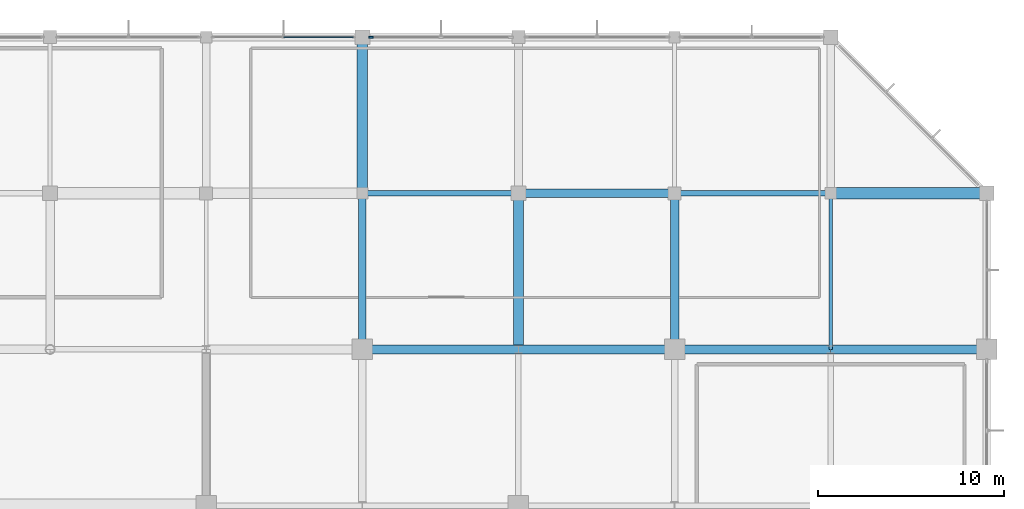
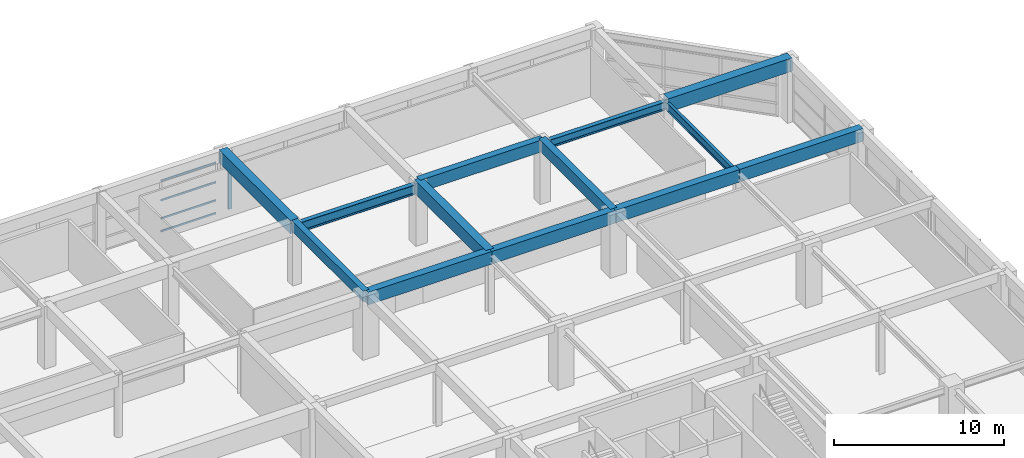
# One storey, part 33 of 56: 13 beams, 5 members, 2 elements without a shape of their own.
"""IFC4 building model written with IfcOpenShell, lengths in metres."""

import ifcopenshell
import ifcopenshell.guid

model = None  # the IFC model being written
_history = None  # IfcOwnerHistory: only IFC2X3 demands one
_inside = {}  # id of a spatial element -> (the spatial element, [elements in it])
_under = {}  # id of a project, library or spatial element -> (it, [spatial elements below it])
_declared = {}  # id of a project -> (the project, [libraries it declares])
_typed = {}  # id of a type object -> (the type object, [elements of that type])
_made_of = {}  # id of a material, layer set ... -> (it, [elements and type objects made of it])


def new_model(schema):
    """Start an empty IFC model of exactly this schema.

    Asked for "IFC4X3", IfcOpenShell would pick the latest addendum, in which some entities
    have other attributes; the version numbers below select the first issue.
    IFC2X3 requires an IfcOwnerHistory on every rooted entity: one is made here for all.
    """
    global model, _history
    if schema == "IFC4X3":
        model = ifcopenshell.file(schema_version=(4, 3, 0, 0))
    else:
        model = ifcopenshell.file(schema=schema)
    _inside.clear()
    _under.clear()
    _declared.clear()
    _typed.clear()
    _made_of.clear()
    _history = None
    if model.schema == "IFC2X3":
        org = make("IfcOrganization", Name="unknown")
        user = make(
            "IfcPersonAndOrganization",
            ThePerson=make("IfcPerson", FamilyName="unknown"),
            TheOrganization=org,
        )
        app = make(
            "IfcApplication",
            ApplicationDeveloper=org,
            Version="unknown",
            ApplicationFullName="unknown",
            ApplicationIdentifier="unknown",
        )
        _history = make(
            "IfcOwnerHistory",
            OwningUser=user,
            OwningApplication=app,
            ChangeAction="ADDED",
            CreationDate=0,
        )
    return model


def make(cls, **values):
    """One entity of the class cls with the attributes given. An attribute that is None is left unset."""
    return model.create_entity(
        cls, **{name: value for name, value in values.items() if value is not None}
    )


def rooted(cls, **values):
    """An entity with a GlobalId (a new one), such as an element, a storey or a relation."""
    return make(cls, GlobalId=ifcopenshell.guid.new(), OwnerHistory=_history, **values)


def si_unit(unit_type, name, prefix=None):
    """IfcSIUnit, for example si_unit("LENGTHUNIT", "METRE", prefix="MILLI")."""
    return make("IfcSIUnit", UnitType=unit_type, Prefix=prefix, Name=name)


def assignment(units):
    """IfcUnitAssignment: the units of a project."""
    return None if units is None else make("IfcUnitAssignment", Units=units)


def point(xyz):
    """IfcCartesianPoint."""
    return None if xyz is None else make("IfcCartesianPoint", Coordinates=xyz)


def direction(xyz):
    """IfcDirection."""
    return None if xyz is None else make("IfcDirection", DirectionRatios=xyz)


def frame(location, z_axis=None, x_axis=None):
    """IfcAxis2Placement3D, a coordinate frame: its origin and axes. An axis left out is left unset."""
    return make(
        "IfcAxis2Placement3D",
        Location=point(location),
        Axis=direction(z_axis),
        RefDirection=direction(x_axis),
    )


def frame_2d(location, x_axis=None):
    """IfcAxis2Placement2D, a coordinate frame in the plane: its origin and x axis."""
    return make(
        "IfcAxis2Placement2D", Location=point(location), RefDirection=direction(x_axis)
    )


def origin():
    """The frame at (0, 0, 0) with its axes left unset."""
    return frame((0.0, 0.0, 0.0))


def origin_2d():
    """The frame at (0, 0) in the plane with its x axis left unset."""
    return frame_2d((0.0, 0.0))


def place(relative_to, where):
    """IfcLocalPlacement: puts the frame where relative to a parent placement (None: the world)."""
    return make(
        "IfcLocalPlacement", PlacementRelTo=relative_to, RelativePlacement=where
    )


def context(
    kind, dimensions, precision=None, world=None, true_north=None, identifier=None
):
    """IfcGeometricRepresentationContext, for example the 3D "Model" context."""
    return make(
        "IfcGeometricRepresentationContext",
        ContextIdentifier=identifier,
        ContextType=kind,
        CoordinateSpaceDimension=dimensions,
        Precision=precision,
        WorldCoordinateSystem=world,
        TrueNorth=true_north,
    )


def subcontext(parent, identifier, kind, view, scale=None):
    """IfcGeometricRepresentationSubContext, for example "Body" below "Model"."""
    return make(
        "IfcGeometricRepresentationSubContext",
        ContextIdentifier=identifier,
        ContextType=kind,
        ParentContext=parent,
        TargetScale=scale,
        TargetView=view,
    )


def project(units=None, contexts=None):
    """IfcProject with its units and contexts."""
    return rooted(
        "IfcProject",
        Name="project",
        RepresentationContexts=contexts,
        UnitsInContext=assignment(units),
    )


def spatial(cls, under=None, at=None, **own):
    """A site, building, storey or space (cls), placed at a placement, below another one or the project."""
    s = rooted(cls, ObjectPlacement=at, **own)
    if under is not None:
        _under.setdefault(under.id(), (under, []))[1].append(s)
    return s


def profile(cls, at=None, kind="AREA", **sizes):
    """A parametric profile (cls). Its sizes go by their IFC names, for example OverallWidth=200.0."""
    return make(cls, ProfileType=kind, Position=at, **sizes)


def rectangle(**sizes):
    """IfcRectangleProfileDef."""
    return profile("IfcRectangleProfileDef", **sizes)


def i_section(**sizes):
    """IfcIShapeProfileDef."""
    return profile("IfcIShapeProfileDef", **sizes)


def extrude(swept, where, along, depth):
    """IfcExtrudedAreaSolid: the profile swept, set in the frame where, extruded along a direction by depth."""
    return make(
        "IfcExtrudedAreaSolid",
        SweptArea=swept,
        Position=where,
        ExtrudedDirection=direction(along),
        Depth=depth,
    )


def shape(context_of_items, identifier, shape_type, items):
    """IfcShapeRepresentation: the items that make up one representation, for example the "Body"."""
    return make(
        "IfcShapeRepresentation",
        ContextOfItems=context_of_items,
        RepresentationIdentifier=identifier,
        RepresentationType=shape_type,
        Items=items,
    )


def material(Name=None, Category=None):
    """IfcMaterial."""
    return make("IfcMaterial", Name=Name, Category=Category)


def material_profile(
    of_material, cross_section, Name=None, Category=None, Priority=None
):
    """IfcMaterialProfile: a cross section and its material."""
    return make(
        "IfcMaterialProfile",
        Name=Name,
        Material=of_material,
        Profile=cross_section,
        Priority=Priority,
        Category=Category,
    )


def profile_set(profiles, Name=None, composite=None):
    """IfcMaterialProfileSet."""
    return make(
        "IfcMaterialProfileSet",
        Name=Name,
        MaterialProfiles=profiles,
        CompositeProfile=composite,
    )


def made_of(thing, what):
    """Note that an element or type object is made of a material, layer set ...; save() writes the relation."""
    if what is not None:
        _made_of.setdefault(what.id(), (what, []))[1].append(thing)
    return thing


def type_object(cls, material=None, **own):
    """A type object (cls), such as IfcWallType, which elements share."""
    return made_of(rooted(cls, **own), material)


def element(
    cls,
    number,
    at=None,
    inside=None,
    cuts=None,
    type_object=None,
    material=None,
    context=None,
    identifier="Body",
    shape_type=None,
    held_by="IfcProductDefinitionShape",
    body=None,
    shapes=None,
    **own,
):
    """One element of the class cls, such as IfcWall. Its Tag is "e" and its number.

    at: its placement. inside: the storey or other place that contains it. cuts: it is an
    opening in that element (IfcRelVoidsElement). A single representation is given by context,
    identifier, shape_type and body (its items); several are given by shapes. held_by: the class
    of the entity that holds the representations. save() writes the other relations.
    """
    e = rooted(cls, Tag="e%d" % number, ObjectPlacement=at, **own)
    if body is not None:
        shapes = [shape(context, identifier, shape_type, body)]
    if shapes is not None:
        e.Representation = make(held_by, Representations=shapes)
    if inside is not None:
        _inside.setdefault(inside.id(), (inside, []))[1].append(e)
    if cuts is not None:
        rooted(
            "IfcRelVoidsElement", RelatingBuildingElement=cuts, RelatedOpeningElement=e
        )
    if type_object is not None:
        _typed.setdefault(type_object.id(), (type_object, []))[1].append(e)
    return made_of(e, material)


def aggregate(whole, parts):
    """IfcRelAggregates: a whole, such as a stair, and the parts it consists of."""
    return rooted("IfcRelAggregates", RelatingObject=whole, RelatedObjects=parts)


def save(model, path):
    """Write the relations noted so far, then the file.

    IfcRelAggregates (storeys below a building ...), IfcRelContainedInSpatialStructure (elements
    in a storey), IfcRelDefinesByType, IfcRelAssociatesMaterial and IfcRelDeclares: one each for
    every whole, place, type object, material and project.
    """
    for whole, parts in _under.values():
        aggregate(whole, parts)
    for where, things in _inside.values():
        rooted(
            "IfcRelContainedInSpatialStructure",
            RelatedElements=things,
            RelatingStructure=where,
        )
    for kind, things in _typed.values():
        rooted("IfcRelDefinesByType", RelatedObjects=things, RelatingType=kind)
    for what, things in _made_of.values():
        rooted("IfcRelAssociatesMaterial", RelatedObjects=things, RelatingMaterial=what)
    for by, libraries in _declared.values():
        rooted("IfcRelDeclares", RelatingContext=by, RelatedDefinitions=libraries)
    model.write(path)


model = new_model("IFC4")

# Units and contexts
model_context = context("Model", 3, precision=1e-05, world=origin(), true_north=direction((0.0, 1.0)))
body_context = subcontext(model_context, "Body", "Model", "MODEL_VIEW")
ifc_project = project(units=[si_unit("LENGTHUNIT", "METRE"), si_unit("AREAUNIT", "SQUARE_METRE"), si_unit("VOLUMEUNIT", "CUBIC_METRE"), si_unit("PLANEANGLEUNIT", "RADIAN"), si_unit("MASSUNIT", "GRAM", prefix="KILO")], contexts=[model_context])

# Site, building, storey
site_placement = place(None, origin())
site = spatial("IfcSite", under=ifc_project, at=site_placement, CompositionType="ELEMENT")
building_placement = place(site_placement, origin())
building = spatial("IfcBuilding", under=site, at=building_placement, Name="Xuanlan Plaza Opera House", CompositionType="ELEMENT")
storey_placement = place(building_placement, frame((0.0, 0.0, 18.89990234375)))
storey = spatial("IfcBuildingStorey", under=building, at=storey_placement, Name="L04", CompositionType="ELEMENT", Elevation=18.89990234375)

# Curtain wall, member
ifc_material_1 = material(Name="Anodised Aluminium 6063-T6 and Low-E Glass", Category="aluminium")
curtain_wall_type_1 = type_object("IfcCurtainWallType", Name="ENV-CW-CW-03", PredefinedType="USERDEFINED", material=ifc_material_1)
curtain_wall_1_placement = place(storey_placement, origin())
curtain_wall_1 = element("IfcCurtainWall", 1, at=curtain_wall_1_placement, inside=storey, type_object=curtain_wall_type_1, Name="Unitised Curtain Wall L04-029", ObjectType="UNITISED CURTAIN WALL", PredefinedType="USERDEFINED")
ifc_material_2 = material(Name="Anodised Aluminium 6063-T6", Category="aluminium")
ifc_material_profile_1 = material_profile(ifc_material_2, rectangle(XDim=0.090087890625, YDim=0.25, at=origin_2d()), Name="ALU-M 90x250")
ifc_profile_set_1 = profile_set([ifc_material_profile_1], Name="Anodised Aluminium 6063-T6")
member_type_1 = type_object("IfcMemberType", Name="ENV-CWM-05", PredefinedType="MULLION", material=ifc_profile_set_1)
member_1_placement = place(storey_placement, frame((134.864990234375, 100.800048828125, 0.0), z_axis=(0.0, 0.0, 1.0), x_axis=(0.0, -1.0, 0.0)))
member_1 = element("IfcMember", 2, at=member_1_placement, type_object=member_type_1, Name="CW-03 mullion 3", PredefinedType="MULLION", context=body_context, shape_type="SweptSolid", body=[
    extrude(rectangle(XDim=0.090087890625, YDim=0.25, at=origin_2d()), origin(), (0.0, 0.0, 1.0), 3.68017578125),
])
aggregate(curtain_wall_1, [member_1])

# Curtain wall, members
curtain_wall_type_2 = type_object("IfcCurtainWallType", Name="ENV-CW-CW-05", PredefinedType="USERDEFINED", material=ifc_material_1)
curtain_wall_2_placement = place(storey_placement, origin())
curtain_wall_2 = element("IfcCurtainWall", 3, at=curtain_wall_2_placement, inside=storey, type_object=curtain_wall_type_2, Name="Acoustic Glazed Wall L04-030", ObjectType="ACOUSTIC GLAZED WALL", PredefinedType="USERDEFINED")
ifc_material_profile_2 = material_profile(ifc_material_2, rectangle(XDim=0.06494140625, YDim=0.1201171875, at=origin_2d()), Name="ALU-T 65x120")
ifc_profile_set_2 = profile_set([ifc_material_profile_2], Name="Anodised Aluminium 6063-T6")
member_type_2 = type_object("IfcMemberType", Name="ENV-CWT-01", PredefinedType="USERDEFINED", material=ifc_profile_set_2)
member_2_placement = place(storey_placement, frame((133.9150390625, 100.800048828125, 0.03271484375), z_axis=(-1.0, 0.0, 0.0), x_axis=(0.0, -1.0, 0.0)))
member_2 = element("IfcMember", 4, at=member_2_placement, type_object=member_type_2, Name="CW-05 transom 1.1", ObjectType="TRANSOM", PredefinedType="USERDEFINED", context=body_context, shape_type="SweptSolid", body=[
    extrude(rectangle(XDim=0.06494140625, YDim=0.1201171875, at=origin_2d()), origin(), (0.0, 0.0, 1.0), 3.732421875),
])
member_3_placement = place(storey_placement, frame((133.9150390625, 100.800048828125, 0.9501953125), z_axis=(-1.0, 0.0, 0.0), x_axis=(0.0, -1.0, 0.0)))
member_3 = element("IfcMember", 5, at=member_3_placement, type_object=member_type_2, Name="CW-05 transom 1.2", ObjectType="TRANSOM", PredefinedType="USERDEFINED", context=body_context, shape_type="SweptSolid", body=[
    extrude(rectangle(XDim=0.06494140625, YDim=0.1201171875, at=origin_2d()), origin(), (0.0, 0.0, 1.0), 3.732421875),
])
member_4_placement = place(storey_placement, frame((133.9150390625, 100.800048828125, 2.25), z_axis=(-1.0, 0.0, 0.0), x_axis=(0.0, -1.0, 0.0)))
member_4 = element("IfcMember", 6, at=member_4_placement, type_object=member_type_2, Name="CW-05 transom 1.3", ObjectType="TRANSOM", PredefinedType="USERDEFINED", context=body_context, shape_type="SweptSolid", body=[
    extrude(rectangle(XDim=0.06494140625, YDim=0.1201171875, at=origin_2d()), origin(), (0.0, 0.0, 1.0), 3.732421875),
])
member_5_placement = place(storey_placement, frame((133.9150390625, 100.800048828125, 3.647705078125), z_axis=(-1.0, 0.0, 0.0), x_axis=(0.0, -1.0, 0.0)))
member_5 = element("IfcMember", 7, at=member_5_placement, type_object=member_type_2, Name="CW-05 transom 1.4", ObjectType="TRANSOM", PredefinedType="USERDEFINED", context=body_context, shape_type="SweptSolid", body=[
    extrude(rectangle(XDim=0.06494140625, YDim=0.1201171875, at=origin_2d()), origin(), (0.0, 0.0, 1.0), 3.732421875),
])
aggregate(curtain_wall_2, [member_2, member_3, member_4, member_5])

# Beams
ifc_material_3 = material(Name="Concrete C50", Category="concrete")
ifc_material_profile_3 = material_profile(ifc_material_3, rectangle(XDim=0.60009765625, YDim=0.949951171875, at=origin_2d()), Name="RC-BM 600x950")
ifc_profile_set_3 = profile_set([ifc_material_profile_3], Name="Concrete C50")
beam_type_1 = type_object("IfcBeamType", Name="STR-BM-B-01", PredefinedType="BEAM", material=ifc_profile_set_3)
beam_1_placement = place(storey_placement, frame((159.60009765625, 92.39990234375, 4.025146484375), z_axis=(1.0, 0.0, 0.0), x_axis=(0.0, 1.0, 0.0)))
element("IfcBeam", 8, at=beam_1_placement, inside=storey, type_object=beam_type_1, Name="Grid Beam X L04 20-21/L", PredefinedType="BEAM", context=body_context, shape_type="SweptSolid", body=[
    extrude(rectangle(XDim=0.60009765625, YDim=0.949951171875, at=origin_2d()), origin(), (0.0, 0.0, 1.0), 8.39990234375),
])
ifc_material_profile_4 = material_profile(ifc_material_3, rectangle(XDim=0.550048828125, YDim=0.949951171875, at=origin_2d()), Name="RC-BM 550x950")
ifc_profile_set_4 = profile_set([ifc_material_profile_4], Name="Concrete C50")
beam_type_2 = type_object("IfcBeamType", Name="STR-BM-B-02", PredefinedType="BEAM", material=ifc_profile_set_4)
beam_2_placement = place(storey_placement, frame((134.39990234375, 92.39990234375, 4.025146484375), z_axis=(0.0, 1.0, 0.0), x_axis=(-1.0, 0.0, 0.0)))
element("IfcBeam", 9, at=beam_2_placement, inside=storey, type_object=beam_type_2, Name="Grid Beam Y L04 17/L-M", PredefinedType="BEAM", context=body_context, shape_type="SweptSolid", body=[
    extrude(rectangle(XDim=0.550048828125, YDim=0.949951171875, at=origin_2d()), origin(), (0.0, 0.0, 1.0), 8.400146484375),
])
beam_3_placement = place(storey_placement, frame((142.800048828125, 84.0, 4.025146484375), z_axis=(0.0, 1.0, 0.0), x_axis=(-1.0, 0.0, 0.0)))
element("IfcBeam", 10, at=beam_3_placement, inside=storey, type_object=beam_type_2, Name="Grid Beam Y L04 18/K-L", PredefinedType="BEAM", context=body_context, shape_type="SweptSolid", body=[
    extrude(rectangle(XDim=0.550048828125, YDim=0.949951171875, at=origin_2d()), origin(), (0.0, 0.0, 1.0), 8.39990234375),
])
ifc_material_4 = material(Name="Concrete C40", Category="concrete")
ifc_material_profile_5 = material_profile(ifc_material_4, rectangle(XDim=0.5, YDim=0.89990234375, at=origin_2d()), Name="RC-BM 500x900")
ifc_profile_set_5 = profile_set([ifc_material_profile_5], Name="Concrete C40")
beam_type_3 = type_object("IfcBeamType", Name="STR-BM-B-03", PredefinedType="BEAM", material=ifc_profile_set_5)
beam_4_placement = place(storey_placement, frame((134.39990234375, 84.0, 4.050048828125), z_axis=(1.0, 0.0, 0.0), x_axis=(0.0, 1.0, 0.0)))
element("IfcBeam", 11, at=beam_4_placement, inside=storey, type_object=beam_type_3, Name="Grid Beam X L04 17-18/K", PredefinedType="BEAM", context=body_context, shape_type="SweptSolid", body=[
    extrude(rectangle(XDim=0.5, YDim=0.89990234375, at=origin_2d()), origin(), (0.0, 0.0, 1.0), 8.400146484375),
])
beam_5_placement = place(storey_placement, frame((142.800048828125, 84.0, 4.050048828125), z_axis=(1.0, 0.0, 0.0), x_axis=(0.0, 1.0, 0.0)))
element("IfcBeam", 12, at=beam_5_placement, inside=storey, type_object=beam_type_3, Name="Grid Beam X L04 18-19/K", PredefinedType="BEAM", context=body_context, shape_type="SweptSolid", body=[
    extrude(rectangle(XDim=0.5, YDim=0.89990234375, at=origin_2d()), origin(), (0.0, 0.0, 1.0), 8.39990234375),
])
beam_6_placement = place(storey_placement, frame((151.199951171875, 84.0, 4.050048828125), z_axis=(1.0, 0.0, 0.0), x_axis=(0.0, 1.0, 0.0)))
element("IfcBeam", 13, at=beam_6_placement, inside=storey, type_object=beam_type_3, Name="Grid Beam X L04 19-20/K", PredefinedType="BEAM", context=body_context, shape_type="SweptSolid", body=[
    extrude(rectangle(XDim=0.5, YDim=0.89990234375, at=origin_2d()), origin(), (0.0, 0.0, 1.0), 8.400146484375),
])
beam_7_placement = place(storey_placement, frame((159.60009765625, 84.0, 4.050048828125), z_axis=(1.0, 0.0, 0.0), x_axis=(0.0, 1.0, 0.0)))
element("IfcBeam", 14, at=beam_7_placement, inside=storey, type_object=beam_type_3, Name="Grid Beam X L04 20-21/K", PredefinedType="BEAM", context=body_context, shape_type="SweptSolid", body=[
    extrude(rectangle(XDim=0.5, YDim=0.89990234375, at=origin_2d()), origin(), (0.0, 0.0, 1.0), 8.39990234375),
])
ifc_material_profile_6 = material_profile(ifc_material_4, rectangle(XDim=0.449951171875, YDim=0.85009765625, at=origin_2d()), Name="RC-BM 450x850")
ifc_profile_set_6 = profile_set([ifc_material_profile_6], Name="Concrete C40")
beam_type_4 = type_object("IfcBeamType", Name="STR-BM-B-04", PredefinedType="BEAM", material=ifc_profile_set_6)
for number, where, z_axis, x_axis, name in (
    (15, (142.800048828125, 92.39990234375, 4.0751953125), (1.0, 0.0, 0.0), (0.0, 1.0, 0.0), "Grid Beam X L04 18-19/L"),
    (16, (151.199951171875, 84.0, 4.0751953125), (0.0, 1.0, 0.0), (-1.0, 0.0, 0.0), "Grid Beam Y L04 19/K-L"),
):
    element("IfcBeam", number, at=place(storey_placement, frame(where, z_axis=z_axis, x_axis=x_axis)), inside=storey, type_object=beam_type_4, Name=name, PredefinedType="BEAM", context=body_context, shape_type="SweptSolid", body=[
        extrude(rectangle(XDim=0.449951171875, YDim=0.85009765625, at=origin_2d()), origin(), (0.0, 0.0, 1.0), 8.39990234375),
    ])
ifc_material_profile_7 = material_profile(ifc_material_4, rectangle(XDim=0.39990234375, YDim=0.75, at=origin_2d()), Name="RC-BM 400x750")
ifc_profile_set_7 = profile_set([ifc_material_profile_7], Name="Concrete C40")
beam_type_5 = type_object("IfcBeamType", Name="STR-BM-B-06", PredefinedType="BEAM", material=ifc_profile_set_7)
beam_8_placement = place(storey_placement, frame((134.39990234375, 84.0, 4.125), z_axis=(0.0, 1.0, 0.0), x_axis=(-1.0, 0.0, 0.0)))
element("IfcBeam", 17, at=beam_8_placement, inside=storey, type_object=beam_type_5, Name="Grid Beam Y L04 17/K-L", PredefinedType="BEAM", context=body_context, shape_type="SweptSolid", body=[
    extrude(rectangle(XDim=0.39990234375, YDim=0.75, at=origin_2d()), origin(), (0.0, 0.0, 1.0), 8.39990234375),
])
ifc_material_5 = material(Name="Steel Q355B", Category="steel")
ifc_material_profile_8 = material_profile(ifc_material_5, i_section(OverallWidth=0.300048828125, OverallDepth=0.699951171875, WebThickness=0.012939453125, FlangeThickness=0.02392578125, FilletRadius=0.02392578125, at=origin_2d()), Name="HN 700x300x13x24")
ifc_profile_set_8 = profile_set([ifc_material_profile_8], Name="Steel Q355B")
beam_type_6 = type_object("IfcBeamType", Name="STR-BM-SB-03", PredefinedType="BEAM", material=ifc_profile_set_8)
beam_9_placement = place(storey_placement, frame((134.39990234375, 92.39990234375, 3.885009765625), z_axis=(1.0, 0.0, 0.0), x_axis=(0.0, 1.0, 0.0)))
element("IfcBeam", 18, at=beam_9_placement, inside=storey, type_object=beam_type_6, Name="Grid Beam X L04 17-18/L", PredefinedType="BEAM", context=body_context, shape_type="SweptSolid", body=[
    extrude(i_section(OverallWidth=0.300048828125, OverallDepth=0.699951171875, WebThickness=0.012939453125, FlangeThickness=0.02392578125, FilletRadius=0.02392578125, at=origin_2d()), origin(), (0.0, 0.0, 1.0), 8.400146484375),
])
ifc_material_profile_9 = material_profile(ifc_material_5, i_section(OverallWidth=0.199951171875, OverallDepth=0.60009765625, WebThickness=0.010986328125, FlangeThickness=0.01708984375, FilletRadius=0.02197265625, at=origin_2d()), Name="HN 600x200x11x17")
ifc_profile_set_9 = profile_set([ifc_material_profile_9], Name="Steel Q355B")
beam_type_7 = type_object("IfcBeamType", Name="STR-BM-SB-04", PredefinedType="BEAM", material=ifc_profile_set_9)
beam_10_placement = place(storey_placement, frame((159.60009765625, 84.0, 3.93505859375), z_axis=(0.0, 1.0, 0.0), x_axis=(-1.0, 0.0, 0.0)))
element("IfcBeam", 19, at=beam_10_placement, inside=storey, type_object=beam_type_7, Name="Grid Beam Y L04 20/K-L", PredefinedType="BEAM", context=body_context, shape_type="SweptSolid", body=[
    extrude(i_section(OverallWidth=0.199951171875, OverallDepth=0.60009765625, WebThickness=0.010986328125, FlangeThickness=0.01708984375, FilletRadius=0.02197265625, at=origin_2d()), origin(), (0.0, 0.0, 1.0), 8.39990234375),
])
ifc_material_profile_10 = material_profile(ifc_material_5, i_section(OverallWidth=0.300048828125, OverallDepth=0.587890625, WebThickness=0.011962890625, FlangeThickness=0.02001953125, FilletRadius=0.02392578125, at=origin_2d()), Name="HM 588x300x12x20")
ifc_profile_set_10 = profile_set([ifc_material_profile_10], Name="Steel Q355B")
beam_type_8 = type_object("IfcBeamType", Name="STR-BM-SB-06", PredefinedType="BEAM", material=ifc_profile_set_10)
beam_11_placement = place(storey_placement, frame((151.199951171875, 92.39990234375, 3.941162109375), z_axis=(1.0, 0.0, 0.0), x_axis=(0.0, 1.0, 0.0)))
element("IfcBeam", 20, at=beam_11_placement, inside=storey, type_object=beam_type_8, Name="Grid Beam X L04 19-20/L", PredefinedType="BEAM", context=body_context, shape_type="SweptSolid", body=[
    extrude(i_section(OverallWidth=0.300048828125, OverallDepth=0.587890625, WebThickness=0.011962890625, FlangeThickness=0.02001953125, FilletRadius=0.02392578125, at=origin_2d()), origin(), (0.0, 0.0, 1.0), 8.400146484375),
])

save(model, "model.ifc")
